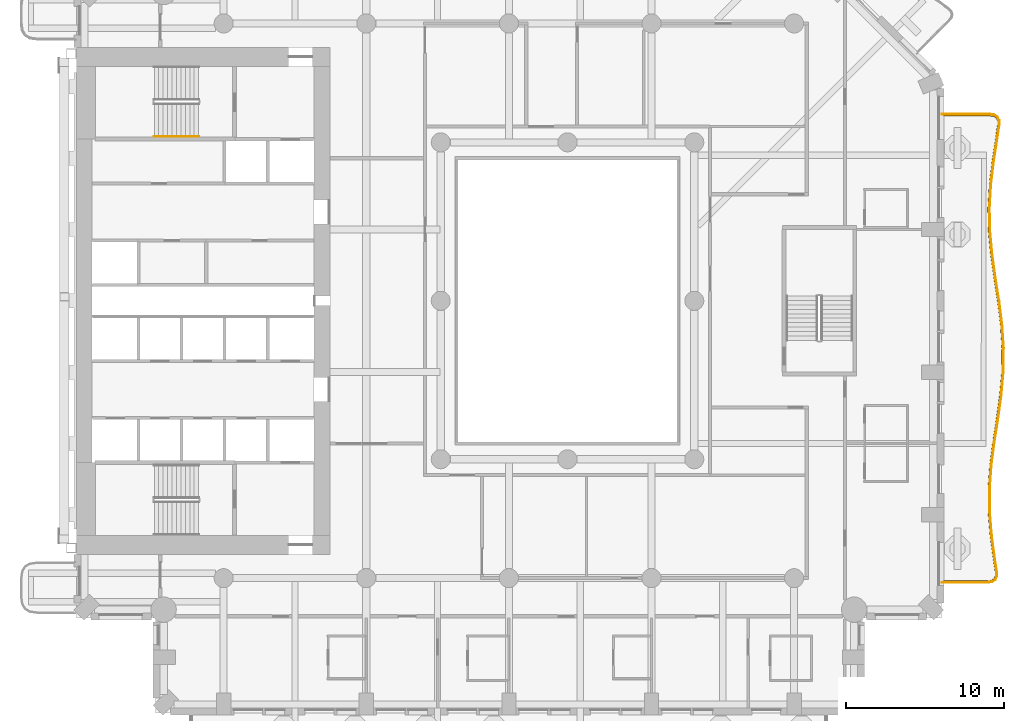
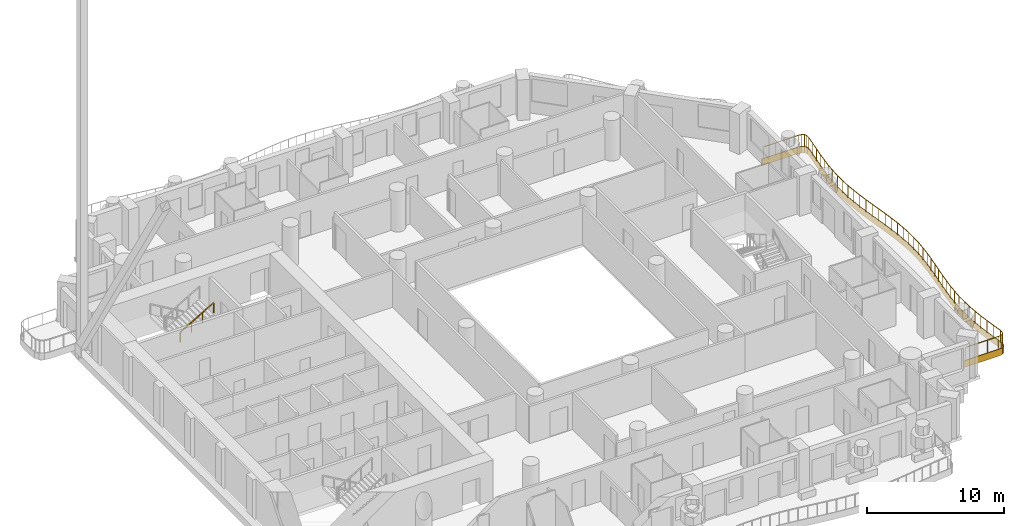
# One storey, part 20 of 24: 2 railings, 1 covering.
"""IFC4 building model written with IfcOpenShell, lengths in metres."""

from ifc_helpers import new_model, si_unit, direction, frame, origin, origin_2d, place, context, subcontext, project, spatial, polyline, rectangle, outline, extrude, material, layer, layer_set, type_object, element, save


model = new_model("IFC4")

# Units and contexts
model_context = context("Model", 3, precision=1e-05, world=origin(), true_north=direction((0.0, 1.0)))
body_context = subcontext(model_context, "Body", "Model", "MODEL_VIEW")
ifc_project = project(units=[si_unit("LENGTHUNIT", "METRE"), si_unit("AREAUNIT", "SQUARE_METRE"), si_unit("VOLUMEUNIT", "CUBIC_METRE"), si_unit("PLANEANGLEUNIT", "RADIAN"), si_unit("MASSUNIT", "GRAM", prefix="KILO")], contexts=[model_context])

# Site, building, storey
site_placement = place(None, origin())
site = spatial("IfcSite", under=ifc_project, at=site_placement, CompositionType="ELEMENT")
building_placement = place(site_placement, origin())
building = spatial("IfcBuilding", under=site, at=building_placement, Name="Cypress Arch Tower", CompositionType="ELEMENT")
storey_placement = place(building_placement, frame((0.0, 0.0, 102.300048828125)))
storey = spatial("IfcBuildingStorey", under=building, at=storey_placement, Name="L20", CompositionType="ELEMENT", Elevation=102.300048828125)

# Covering
ifc_material_1 = material(Name="White powder-coated aluminium fascia", Category="aluminium")
ifc_layer = layer(ifc_material_1, 0.050048828125)
ifc_layer_set = layer_set([ifc_layer], Name="Balcony fascia BF50")
covering_type = type_object("IfcCoveringType", Name="Balcony fascia BF50", PredefinedType="CLADDING", material=ifc_layer_set)
covering_placement = place(storey_placement, frame((0.0, 0.0, -0.60009765625)))
element("IfcCovering", 1, at=covering_placement, inside=storey, type_object=covering_type, Name="Balcony fascia L20-A06", PredefinedType="CLADDING", context=body_context, shape_type="SweptSolid", body=[
    extrude(outline(polyline([(27.640869140625, 11.800048828125), (27.94287109375, 11.75634765625), (28.155517578125, 11.6181640625), (28.26171875, 11.387451171875), (28.261474609375, 11.08251953125), (28.142578125, 10.267578125), (27.91650390625, 8.793212890625), (27.738037109375, 7.320556640625), (27.6533203125, 5.84912109375), (27.684326171875, 4.3779296875), (27.822509765625, 2.90576171875), (28.032958984375, 1.432373046875), (28.2607421875, -0.04296875), (28.447021484375, -1.520263671875), (28.543212890625, -2.998779296875), (28.524169921875, -4.4775390625), (28.39501953125, -5.95556640625), (28.189208984375, -7.432373046875), (27.96044921875, -8.906982421875), (27.76806640625, -10.380126953125), (27.66162109375, -11.851806640625), (27.66845703125, -13.32275390625), (27.787109375, -14.794677734375), (27.98681640625, -16.267822265625), (28.11328125, -17.08203125), (28.11669921875, -17.38720703125), (28.01220703125, -17.617919921875), (27.80029296875, -17.75634765625), (27.498291015625, -17.800048828125), (24.60107421875, -17.800048828125), (24.60107421875, -17.75), (27.494873046875, -17.75), (27.7822265625, -17.70849609375), (27.97265625, -17.583984375), (28.06640625, -17.376708984375), (28.0634765625, -17.086181640625), (27.937255859375, -16.27490234375), (27.7373046875, -14.800048828125), (27.61865234375, -13.324951171875), (27.611572265625, -11.85009765625), (27.71826171875, -10.375), (27.910888671875, -8.89990234375), (28.1396484375, -7.425048828125), (28.34521484375, -5.949951171875), (28.47412109375, -4.47509765625), (28.4931640625, -3.0), (28.397216796875, -1.52490234375), (28.211181640625, -0.050048828125), (27.9833984375, 1.425048828125), (27.77294921875, 2.89990234375), (27.63427734375, 4.375), (27.603271484375, 5.85009765625), (27.688232421875, 7.324951171875), (27.866943359375, 8.800048828125), (28.093017578125, 10.27490234375), (28.21142578125, 11.086181640625), (28.211669921875, 11.376708984375), (28.1162109375, 11.583984375), (27.9248046875, 11.70849609375), (27.637451171875, 11.75), (24.60107421875, 11.75), (24.60107421875, 11.800048828125), (27.640869140625, 11.800048828125)])), origin(), (0.0, 0.0, 1.0), 0.60009765625),
])

# Railings
ifc_material_2 = material(Name="Powder-coated steel posts and rods, 100 mm clear between rods", Category="steel")
railing_type_1 = type_object("IfcRailingType", Name="Balcony guard GR1100", PredefinedType="GUARDRAIL", material=ifc_material_2)
railing_1_placement = place(storey_placement, frame((24.75, 11.699951171875, 0.0)))
element("IfcRailing", 2, at=railing_1_placement, inside=storey, type_object=railing_type_1, Name="Balcony guard L20-A06", PredefinedType="GUARDRAIL", context=body_context, shape_type="SweptSolid", body=[
    extrude(rectangle(XDim=0.050048828125, YDim=0.050048828125, at=origin_2d()), frame((0.0, 0.0, 1.0751953125), z_axis=(1.0, 0.0, 0.0), x_axis=(0.0, 1.0, 0.0)), (0.0, 0.0, 1.0), 2.8837890625),
    extrude(rectangle(XDim=0.050048828125, YDim=0.050048828125, at=origin_2d()), frame((2.8837890625, 0.0, 1.0751953125), z_axis=(0.989789507287, -0.142536771622, 0.0), x_axis=(0.142536771622, 0.989789507287, 0.0)), (0.0, 0.0, 1.0), 0.27587890625),
    extrude(rectangle(XDim=0.050048828125, YDim=0.050048828125, at=origin_2d()), frame((3.15673828125, -0.039306640625, 1.0751953125), z_axis=(0.838471099644, -0.544946066196, 0.0), x_axis=(0.544946066196, 0.838471099644, 0.0)), (0.0, 0.0, 1.0), 0.202880859375),
    extrude(rectangle(XDim=0.050048828125, YDim=0.050048828125, at=origin_2d()), frame((3.326904296875, -0.14990234375, 1.0751953125), z_axis=(0.418600445014, -0.908170505706, 0.0), x_axis=(0.908170505706, 0.418600445014, 0.0)), (0.0, 0.0, 1.0), 0.202880859375),
    extrude(rectangle(XDim=0.050048828125, YDim=0.050048828125, at=origin_2d()), frame((3.411865234375, -0.334228515625, 1.0751953125), z_axis=(-0.001769908732, -0.99999843371, 0.0), x_axis=(0.99999843371, -0.001769908732, 0.0)), (0.0, 0.0, 1.0), 0.27587890625),
    extrude(rectangle(XDim=0.050048828125, YDim=0.050048828125, at=origin_2d()), frame((3.411376953125, -0.610107421875, 1.0751953125), z_axis=(-0.144227539522, -0.989544550207, 0.0), x_axis=(0.989544550207, -0.144227539522, 0.0)), (0.0, 0.0, 1.0), 0.81591796875),
    extrude(rectangle(XDim=0.050048828125, YDim=0.050048828125, at=origin_2d()), frame((3.293701171875, -1.41748046875, 1.0751953125), z_axis=(-0.151602467582, -0.988441546994, 0.0), x_axis=(0.988441546994, -0.151602467582, 0.0)), (0.0, 0.0, 1.0), 1.492919921875),
    extrude(rectangle(XDim=0.050048828125, YDim=0.050048828125, at=origin_2d()), frame((3.0673828125, -2.89306640625, 1.0751953125), z_axis=(-0.120238289626, -0.992745059775, 0.0), x_axis=(0.992745059775, -0.120238289626, 0.0)), (0.0, 0.0, 1.0), 1.48828125),
    extrude(rectangle(XDim=0.050048828125, YDim=0.050048828125, at=origin_2d()), frame((2.888427734375, -4.37060546875, 1.0751953125), z_axis=(-0.05753334071, -0.998343585499, 0.0), x_axis=(0.998343585499, -0.05753334071, 0.0)), (0.0, 0.0, 1.0), 1.48095703125),
    extrude(rectangle(XDim=0.050048828125, YDim=0.050048828125, at=origin_2d()), frame((2.80322265625, -5.84912109375, 1.0751953125), z_axis=(0.020962868149, -0.999780254936, 0.0), x_axis=(0.999780254936, 0.020962868149, 0.0)), (0.0, 0.0, 1.0), 1.47900390625),
    extrude(rectangle(XDim=0.050048828125, YDim=0.050048828125, at=origin_2d()), frame((2.834228515625, -7.327880859375, 1.0751953125), z_axis=(0.093738062384, -0.99559689416, 0.0), x_axis=(0.99559689416, 0.093738062384, 0.0)), (0.0, 0.0, 1.0), 1.484619140625),
    extrude(rectangle(XDim=0.050048828125, YDim=0.050048828125, at=origin_2d()), frame((2.973388671875, -8.805908203125, 1.0751953125), z_axis=(0.141283836423, -0.989969129602, 0.0), x_axis=(0.989969129602, 0.141283836423, 0.0)), (0.0, 0.0, 1.0), 1.4912109375),
    extrude(rectangle(XDim=0.050048828125, YDim=0.050048828125, at=origin_2d()), frame((3.18408203125, -10.2822265625, 1.0751953125), z_axis=(0.152659626636, -0.988278826241, 0.0), x_axis=(0.988278826241, 0.152659626636, 0.0)), (0.0, 0.0, 1.0), 1.4921875),
    extrude(rectangle(XDim=0.050048828125, YDim=0.050048828125, at=origin_2d()), frame((3.411865234375, -11.7568359375, 1.0751953125), z_axis=(0.124985987941, -0.992158506902, 0.0), x_axis=(0.992158506902, 0.124985987941, 0.0)), (0.0, 0.0, 1.0), 1.484619140625),
    extrude(rectangle(XDim=0.050048828125, YDim=0.050048828125, at=origin_2d()), frame((3.597412109375, -13.229736328125, 1.0751953125), z_axis=(0.064903515062, -0.997891544073, 0.0), x_axis=(0.997891544073, 0.064903515062, 0.0)), (0.0, 0.0, 1.0), 1.474609375),
    extrude(rectangle(XDim=0.050048828125, YDim=0.050048828125, at=origin_2d()), frame((3.693115234375, -14.701171875, 1.0751953125), z_axis=(-0.012776919122, -0.999918371837, 0.0), x_axis=(0.999918371837, -0.012776919122, 0.0)), (0.0, 0.0, 1.0), 1.47119140625),
    extrude(rectangle(XDim=0.050048828125, YDim=0.050048828125, at=origin_2d()), frame((3.67431640625, -16.17236328125, 1.0751953125), z_axis=(-0.08724278944, -0.996187078661, 0.0), x_axis=(0.996187078661, -0.08724278944, 0.0)), (0.0, 0.0, 1.0), 1.4775390625),
    extrude(rectangle(XDim=0.050048828125, YDim=0.050048828125, at=origin_2d()), frame((3.54541015625, -17.644287109375, 1.0751953125), z_axis=(-0.137859081483, -0.990451853273, 0.0), x_axis=(0.990451853273, -0.137859081483, 0.0)), (0.0, 0.0, 1.0), 1.487548828125),
    extrude(rectangle(XDim=0.050048828125, YDim=0.050048828125, at=origin_2d()), frame((3.34033203125, -19.11767578125, 1.0751953125), z_axis=(-0.15340892067, -0.98816279178, 0.0), x_axis=(0.98816279178, -0.15340892067, 0.0)), (0.0, 0.0, 1.0), 1.49267578125),
    extrude(rectangle(XDim=0.050048828125, YDim=0.050048828125, at=origin_2d()), frame((3.111328125, -20.5927734375, 1.0751953125), z_axis=(-0.129479318503, -0.991582122711, 0.0), x_axis=(0.991582122711, -0.129479318503, 0.0)), (0.0, 0.0, 1.0), 1.489501953125),
    extrude(rectangle(XDim=0.050048828125, YDim=0.050048828125, at=origin_2d()), frame((2.91845703125, -22.06982421875, 1.0751953125), z_axis=(-0.072136543506, -0.997394765923, 0.0), x_axis=(0.997394765923, -0.072136543506, 0.0)), (0.0, 0.0, 1.0), 1.482421875),
    extrude(rectangle(XDim=0.050048828125, YDim=0.050048828125, at=origin_2d()), frame((2.8115234375, -23.54833984375, 1.0751953125), z_axis=(0.004787793894, -0.999988538449, 0.0), x_axis=(0.999988538449, 0.004787793894, 0.0)), (0.0, 0.0, 1.0), 1.478759765625),
    extrude(rectangle(XDim=0.050048828125, YDim=0.050048828125, at=origin_2d()), frame((2.818603515625, -25.027099609375, 1.0751953125), z_axis=(0.080334068037, -0.996767995831, 0.0), x_axis=(0.996767995831, 0.080334068037, 0.0)), (0.0, 0.0, 1.0), 1.483154296875),
    extrude(rectangle(XDim=0.050048828125, YDim=0.050048828125, at=origin_2d()), frame((2.937744140625, -26.50537109375, 1.0751953125), z_axis=(0.134330955464, -0.990936523903, 0.0), x_axis=(0.990936523903, 0.134330955464, 0.0)), (0.0, 0.0, 1.0), 1.490234375),
    extrude(rectangle(XDim=0.050048828125, YDim=0.050048828125, at=origin_2d()), frame((3.137939453125, -27.982177734375, 1.0751953125), z_axis=(0.153447904468, -0.98815673889, 0.0), x_axis=(0.98815673889, 0.153447904468, 0.0)), (0.0, 0.0, 1.0), 0.81787109375),
    extrude(rectangle(XDim=0.050048828125, YDim=0.050048828125, at=origin_2d()), frame((3.263427734375, -28.790283203125, 1.0751953125), z_axis=(0.010618870282, -0.999943618208, 0.0), x_axis=(0.999943618208, 0.010618870282, 0.0)), (0.0, 0.0, 1.0), 0.27587890625),
    extrude(rectangle(XDim=0.050048828125, YDim=0.050048828125, at=origin_2d()), frame((3.266357421875, -29.066162109375, 1.0751953125), z_axis=(-0.412072331068, -0.911151136732, 0.0), x_axis=(0.911151136732, -0.412072331068, 0.0)), (0.0, 0.0, 1.0), 0.2021484375),
    extrude(rectangle(XDim=0.050048828125, YDim=0.050048828125, at=origin_2d()), frame((3.18310546875, -29.250244140625, 1.0751953125), z_axis=(-0.837225286377, -0.546858135032, 0.0), x_axis=(0.546858135032, -0.837225286377, 0.0)), (0.0, 0.0, 1.0), 0.201904296875),
    extrude(rectangle(XDim=0.050048828125, YDim=0.050048828125, at=origin_2d()), frame((3.01416015625, -29.360595703125, 1.0751953125), z_axis=(-0.989789507287, -0.142536771622, 0.0), x_axis=(0.142536771622, -0.989789507287, 0.0)), (0.0, 0.0, 1.0), 0.27587890625),
    extrude(rectangle(XDim=0.050048828125, YDim=0.050048828125, at=origin_2d()), frame((2.7412109375, -29.39990234375, 1.0751953125), z_axis=(-1.0, 0.0, 0.0), x_axis=(0.0, -1.0, 0.0)), (0.0, 0.0, 1.0), 2.7412109375),
    extrude(rectangle(XDim=0.0400390625, YDim=0.0400390625, at=origin_2d()), origin(), (0.0, 0.0, 1.0), 1.050048828125),
    extrude(rectangle(XDim=0.0400390625, YDim=0.0400390625, at=origin_2d()), frame((0.961181640625, 0.0, 0.0)), (0.0, 0.0, 1.0), 1.050048828125),
    extrude(rectangle(XDim=0.0400390625, YDim=0.0400390625, at=origin_2d()), frame((1.922607421875, 0.0, 0.0)), (0.0, 0.0, 1.0), 1.050048828125),
    extrude(rectangle(XDim=0.0400390625, YDim=0.0400390625, at=origin_2d()), frame((2.8837890625, 0.0, 0.0)), (0.0, 0.0, 1.0), 1.050048828125),
    extrude(rectangle(XDim=0.0400390625, YDim=0.0400390625, at=origin_2d()), frame((3.15673828125, -0.039306640625, 0.0)), (0.0, 0.0, 1.0), 1.050048828125),
    extrude(rectangle(XDim=0.0400390625, YDim=0.0400390625, at=origin_2d()), frame((3.326904296875, -0.14990234375, 0.0)), (0.0, 0.0, 1.0), 1.050048828125),
    extrude(rectangle(XDim=0.0400390625, YDim=0.0400390625, at=origin_2d()), frame((3.411865234375, -0.334228515625, 0.0)), (0.0, 0.0, 1.0), 1.050048828125),
    extrude(rectangle(XDim=0.0400390625, YDim=0.0400390625, at=origin_2d()), frame((3.411376953125, -0.610107421875, 0.0)), (0.0, 0.0, 1.0), 1.050048828125),
    extrude(rectangle(XDim=0.0400390625, YDim=0.0400390625, at=origin_2d()), frame((3.293701171875, -1.41748046875, 0.0)), (0.0, 0.0, 1.0), 1.050048828125),
    extrude(rectangle(XDim=0.0400390625, YDim=0.0400390625, at=origin_2d()), frame((3.1806640625, -2.1552734375, 0.0)), (0.0, 0.0, 1.0), 1.050048828125),
    extrude(rectangle(XDim=0.0400390625, YDim=0.0400390625, at=origin_2d()), frame((3.0673828125, -2.89306640625, 0.0)), (0.0, 0.0, 1.0), 1.050048828125),
    extrude(rectangle(XDim=0.0400390625, YDim=0.0400390625, at=origin_2d()), frame((2.97802734375, -3.6318359375, 0.0)), (0.0, 0.0, 1.0), 1.050048828125),
    extrude(rectangle(XDim=0.0400390625, YDim=0.0400390625, at=origin_2d()), frame((2.888427734375, -4.37060546875, 0.0)), (0.0, 0.0, 1.0), 1.050048828125),
    extrude(rectangle(XDim=0.0400390625, YDim=0.0400390625, at=origin_2d()), frame((2.845703125, -5.10986328125, 0.0)), (0.0, 0.0, 1.0), 1.050048828125),
    extrude(rectangle(XDim=0.0400390625, YDim=0.0400390625, at=origin_2d()), frame((2.80322265625, -5.84912109375, 0.0)), (0.0, 0.0, 1.0), 1.050048828125),
    extrude(rectangle(XDim=0.0400390625, YDim=0.0400390625, at=origin_2d()), frame((2.81884765625, -6.58837890625, 0.0)), (0.0, 0.0, 1.0), 1.050048828125),
    extrude(rectangle(XDim=0.0400390625, YDim=0.0400390625, at=origin_2d()), frame((2.834228515625, -7.327880859375, 0.0)), (0.0, 0.0, 1.0), 1.050048828125),
    extrude(rectangle(XDim=0.0400390625, YDim=0.0400390625, at=origin_2d()), frame((2.90380859375, -8.06689453125, 0.0)), (0.0, 0.0, 1.0), 1.050048828125),
    extrude(rectangle(XDim=0.0400390625, YDim=0.0400390625, at=origin_2d()), frame((2.973388671875, -8.805908203125, 0.0)), (0.0, 0.0, 1.0), 1.050048828125),
    extrude(rectangle(XDim=0.0400390625, YDim=0.0400390625, at=origin_2d()), frame((3.07861328125, -9.5439453125, 0.0)), (0.0, 0.0, 1.0), 1.050048828125),
    extrude(rectangle(XDim=0.0400390625, YDim=0.0400390625, at=origin_2d()), frame((3.18408203125, -10.2822265625, 0.0)), (0.0, 0.0, 1.0), 1.050048828125),
    extrude(rectangle(XDim=0.0400390625, YDim=0.0400390625, at=origin_2d()), frame((3.2978515625, -11.01953125, 0.0)), (0.0, 0.0, 1.0), 1.050048828125),
    extrude(rectangle(XDim=0.0400390625, YDim=0.0400390625, at=origin_2d()), frame((3.411865234375, -11.7568359375, 0.0)), (0.0, 0.0, 1.0), 1.050048828125),
    extrude(rectangle(XDim=0.0400390625, YDim=0.0400390625, at=origin_2d()), frame((3.504638671875, -12.4931640625, 0.0)), (0.0, 0.0, 1.0), 1.050048828125),
    extrude(rectangle(XDim=0.0400390625, YDim=0.0400390625, at=origin_2d()), frame((3.597412109375, -13.229736328125, 0.0)), (0.0, 0.0, 1.0), 1.050048828125),
    extrude(rectangle(XDim=0.0400390625, YDim=0.0400390625, at=origin_2d()), frame((3.645263671875, -13.96533203125, 0.0)), (0.0, 0.0, 1.0), 1.050048828125),
    extrude(rectangle(XDim=0.0400390625, YDim=0.0400390625, at=origin_2d()), frame((3.693115234375, -14.701171875, 0.0)), (0.0, 0.0, 1.0), 1.050048828125),
    extrude(rectangle(XDim=0.0400390625, YDim=0.0400390625, at=origin_2d()), frame((3.68359375, -15.436767578125, 0.0)), (0.0, 0.0, 1.0), 1.050048828125),
    extrude(rectangle(XDim=0.0400390625, YDim=0.0400390625, at=origin_2d()), frame((3.67431640625, -16.17236328125, 0.0)), (0.0, 0.0, 1.0), 1.050048828125),
    extrude(rectangle(XDim=0.0400390625, YDim=0.0400390625, at=origin_2d()), frame((3.60986328125, -16.908203125, 0.0)), (0.0, 0.0, 1.0), 1.050048828125),
    extrude(rectangle(XDim=0.0400390625, YDim=0.0400390625, at=origin_2d()), frame((3.54541015625, -17.644287109375, 0.0)), (0.0, 0.0, 1.0), 1.050048828125),
    extrude(rectangle(XDim=0.0400390625, YDim=0.0400390625, at=origin_2d()), frame((3.44287109375, -18.380859375, 0.0)), (0.0, 0.0, 1.0), 1.050048828125),
    extrude(rectangle(XDim=0.0400390625, YDim=0.0400390625, at=origin_2d()), frame((3.34033203125, -19.11767578125, 0.0)), (0.0, 0.0, 1.0), 1.050048828125),
    extrude(rectangle(XDim=0.0400390625, YDim=0.0400390625, at=origin_2d()), frame((3.225830078125, -19.855224609375, 0.0)), (0.0, 0.0, 1.0), 1.050048828125),
    extrude(rectangle(XDim=0.0400390625, YDim=0.0400390625, at=origin_2d()), frame((3.111328125, -20.5927734375, 0.0)), (0.0, 0.0, 1.0), 1.050048828125),
    extrude(rectangle(XDim=0.0400390625, YDim=0.0400390625, at=origin_2d()), frame((3.014892578125, -21.331298828125, 0.0)), (0.0, 0.0, 1.0), 1.050048828125),
    extrude(rectangle(XDim=0.0400390625, YDim=0.0400390625, at=origin_2d()), frame((2.91845703125, -22.06982421875, 0.0)), (0.0, 0.0, 1.0), 1.050048828125),
    extrude(rectangle(XDim=0.0400390625, YDim=0.0400390625, at=origin_2d()), frame((2.864990234375, -22.80908203125, 0.0)), (0.0, 0.0, 1.0), 1.050048828125),
    extrude(rectangle(XDim=0.0400390625, YDim=0.0400390625, at=origin_2d()), frame((2.8115234375, -23.54833984375, 0.0)), (0.0, 0.0, 1.0), 1.050048828125),
    extrude(rectangle(XDim=0.0400390625, YDim=0.0400390625, at=origin_2d()), frame((2.81494140625, -24.28759765625, 0.0)), (0.0, 0.0, 1.0), 1.050048828125),
    extrude(rectangle(XDim=0.0400390625, YDim=0.0400390625, at=origin_2d()), frame((2.818603515625, -25.027099609375, 0.0)), (0.0, 0.0, 1.0), 1.050048828125),
    extrude(rectangle(XDim=0.0400390625, YDim=0.0400390625, at=origin_2d()), frame((2.878173828125, -25.76611328125, 0.0)), (0.0, 0.0, 1.0), 1.050048828125),
    extrude(rectangle(XDim=0.0400390625, YDim=0.0400390625, at=origin_2d()), frame((2.937744140625, -26.50537109375, 0.0)), (0.0, 0.0, 1.0), 1.050048828125),
    extrude(rectangle(XDim=0.0400390625, YDim=0.0400390625, at=origin_2d()), frame((3.037841796875, -27.24365234375, 0.0)), (0.0, 0.0, 1.0), 1.050048828125),
    extrude(rectangle(XDim=0.0400390625, YDim=0.0400390625, at=origin_2d()), frame((3.137939453125, -27.982177734375, 0.0)), (0.0, 0.0, 1.0), 1.050048828125),
    extrude(rectangle(XDim=0.0400390625, YDim=0.0400390625, at=origin_2d()), frame((3.263427734375, -28.790283203125, 0.0)), (0.0, 0.0, 1.0), 1.050048828125),
    extrude(rectangle(XDim=0.0400390625, YDim=0.0400390625, at=origin_2d()), frame((3.266357421875, -29.066162109375, 0.0)), (0.0, 0.0, 1.0), 1.050048828125),
    extrude(rectangle(XDim=0.0400390625, YDim=0.0400390625, at=origin_2d()), frame((3.18310546875, -29.250244140625, 0.0)), (0.0, 0.0, 1.0), 1.050048828125),
    extrude(rectangle(XDim=0.0400390625, YDim=0.0400390625, at=origin_2d()), frame((3.01416015625, -29.360595703125, 0.0)), (0.0, 0.0, 1.0), 1.050048828125),
    extrude(rectangle(XDim=0.0400390625, YDim=0.0400390625, at=origin_2d()), frame((2.7412109375, -29.39990234375, 0.0)), (0.0, 0.0, 1.0), 1.050048828125),
    extrude(rectangle(XDim=0.0400390625, YDim=0.0400390625, at=origin_2d()), frame((1.827392578125, -29.39990234375, 0.0)), (0.0, 0.0, 1.0), 1.050048828125),
    extrude(rectangle(XDim=0.0400390625, YDim=0.0400390625, at=origin_2d()), frame((0.913818359375, -29.39990234375, 0.0)), (0.0, 0.0, 1.0), 1.050048828125),
    extrude(rectangle(XDim=0.0400390625, YDim=0.0400390625, at=origin_2d()), frame((0.0, -29.39990234375, 0.0)), (0.0, 0.0, 1.0), 1.050048828125),
])
ifc_material_3 = material(Name="Black powder-coated steel square bar 48 mm", Category="steel")
railing_type_2 = type_object("IfcRailingType", Name="Stair handrail HR1", PredefinedType="HANDRAIL", material=ifc_material_3)
railing_2_placement = place(storey_placement, frame((-25.074951171875, 10.375, 1.963623046875)))
element("IfcRailing", 3, at=railing_2_placement, inside=storey, type_object=railing_type_2, Name="L20 B stair handrail 2", PredefinedType="HANDRAIL", context=body_context, shape_type="SweptSolid", body=[
    extrude(rectangle(XDim=0.048095703125, YDim=0.048095703125, at=origin_2d()), frame((0.0, 0.0, 0.8759765625), z_axis=(0.863393664356, 0.0, 0.504530851732), x_axis=(0.0, 1.0, 0.0)), (0.0, 0.0, 1.0), 3.2431640625),
    extrude(rectangle(XDim=0.0419921875, YDim=0.0419921875, at=origin_2d()), origin(), (0.0, 0.0, 1.0), 0.851806640625),
    extrude(rectangle(XDim=0.0419921875, YDim=0.0419921875, at=origin_2d()), frame((0.933349609375, 0.0, 0.54541015625)), (0.0, 0.0, 1.0), 0.851806640625),
    extrude(rectangle(XDim=0.0419921875, YDim=0.0419921875, at=origin_2d()), frame((1.86669921875, 0.0, 1.0908203125)), (0.0, 0.0, 1.0), 0.851806640625),
    extrude(rectangle(XDim=0.0419921875, YDim=0.0419921875, at=origin_2d()), frame((2.800048828125, 0.0, 1.63623046875)), (0.0, 0.0, 1.0), 0.851806640625),
])

save(model, "model.ifc")
